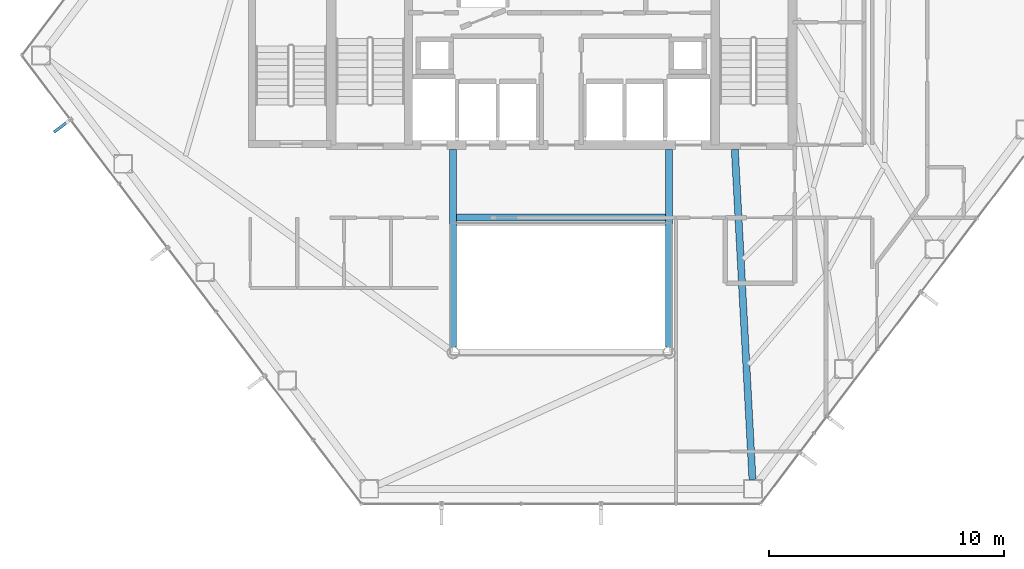
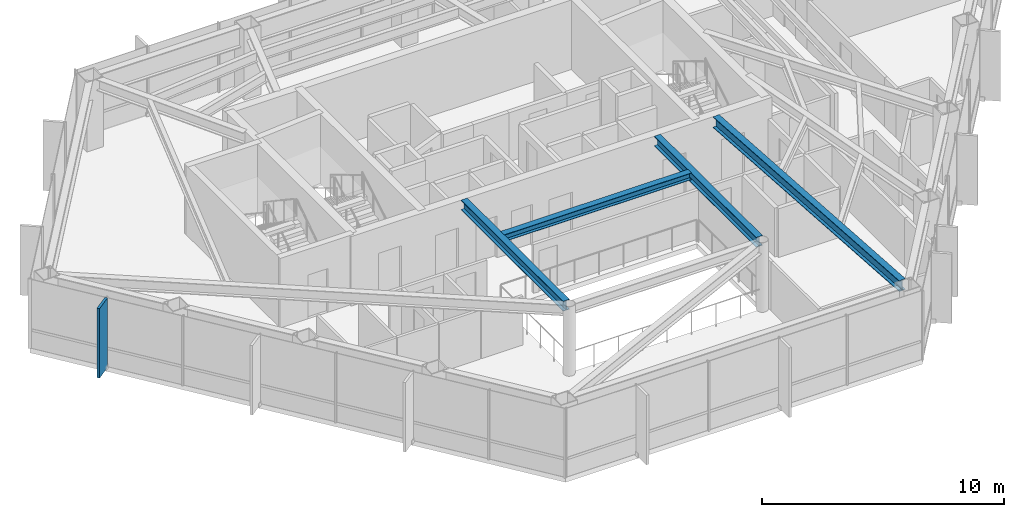
# One storey, part 9 of 29: 4 beams, 1 member, 1 element without a shape of its own.
"""IFC4 building model written with IfcOpenShell, lengths in metres."""

from ifc_helpers import new_model, si_unit, direction, frame, origin, origin_2d, place, context, subcontext, project, spatial, rectangle, i_section, extrude, material, layer, layer_set, material_profile, profile_set, type_object, element, aggregate, save


model = new_model("IFC4")

# Units and contexts
model_context = context("Model", 3, precision=1e-05, world=origin(), true_north=direction((0.0, 1.0)))
body_context = subcontext(model_context, "Body", "Model", "MODEL_VIEW")
ifc_project = project(units=[si_unit("LENGTHUNIT", "METRE"), si_unit("AREAUNIT", "SQUARE_METRE"), si_unit("VOLUMEUNIT", "CUBIC_METRE"), si_unit("PLANEANGLEUNIT", "RADIAN"), si_unit("MASSUNIT", "GRAM", prefix="KILO")], contexts=[model_context])

# Site, building, storey
site_placement = place(None, origin())
site = spatial("IfcSite", under=ifc_project, at=site_placement, CompositionType="ELEMENT")
building_placement = place(site_placement, origin())
building = spatial("IfcBuilding", under=site, at=building_placement, Name="Zarrinselat Tower", CompositionType="ELEMENT")
storey_placement = place(building_placement, frame((0.0, 0.0, 138.3798828125)))
storey = spatial("IfcBuildingStorey", under=building, at=storey_placement, Name="L33", CompositionType="ELEMENT", Elevation=138.3798828125)

# Beams
ifc_material_1 = material(Name="Steel S355J2", Category="steel")
ifc_material_profile_1 = material_profile(ifc_material_1, i_section(OverallWidth=0.300048828125, OverallDepth=0.35009765625, WebThickness=0.010009765625, FlangeThickness=0.017578125, at=origin_2d()), Name="HEA 360")
ifc_profile_set_1 = profile_set([ifc_material_profile_1], Name="Steel S355J2")
beam_type_1 = type_object("IfcBeamType", Name="BM-HEA360", PredefinedType="LINTEL", material=ifc_profile_set_1)
beam_1_placement = place(storey_placement, frame((33.93994140625, 30.14990234375, 3.3251953125), z_axis=(1.0, 0.0, 0.0), x_axis=(0.0, 1.0, 0.0)))
element("IfcBeam", 1, at=beam_1_placement, inside=storey, type_object=beam_type_1, Name="L33 Lift Lobby Ceiling Beam", PredefinedType="LINTEL", context=body_context, shape_type="SweptSolid", body=[
    extrude(i_section(OverallWidth=0.300048828125, OverallDepth=0.35009765625, WebThickness=0.010009765625, FlangeThickness=0.017578125, at=origin_2d()), origin(), (0.0, 0.0, 1.0), 8.920166015625),
])
ifc_material_2 = material(Name="Steel S355J2", Category="steel")
ifc_material_profile_2 = material_profile(ifc_material_2, i_section(OverallWidth=0.300048828125, OverallDepth=0.5, WebThickness=0.014404296875, FlangeThickness=0.028076171875, at=origin_2d()), Name="HEB 500")
ifc_profile_set_2 = profile_set([ifc_material_profile_2], Name="Steel S355J2")
beam_type_2 = type_object("IfcBeamType", Name="BM-HEB500", PredefinedType="BEAM", material=ifc_profile_set_2)
for number, where, z_axis, x_axis, name in (
    (2, (33.800048828125, 24.639892578125, 3.25), (0.0, 1.0, 0.0), (-1.0, 0.0, 0.0), "L33 Atrium Edge Beam W"),
    (3, (43.0, 24.639892578125, 3.25), (0.0, 1.0, 0.0), (-1.0, 0.0, 0.0), "L33 Atrium Edge Beam E"),
):
    element("IfcBeam", number, at=place(storey_placement, frame(where, z_axis=z_axis, x_axis=x_axis)), inside=storey, type_object=beam_type_2, Name=name, PredefinedType="BEAM", context=body_context, shape_type="SweptSolid", body=[
        extrude(i_section(OverallWidth=0.300048828125, OverallDepth=0.5, WebThickness=0.014404296875, FlangeThickness=0.028076171875, at=origin_2d()), origin(), (0.0, 0.0, 1.0), 8.420166015625),
    ])
ifc_material_3 = material(Name="Steel S355J2", Category="steel")
ifc_material_profile_3 = material_profile(ifc_material_3, i_section(OverallWidth=0.300048828125, OverallDepth=0.550048828125, WebThickness=0.014892578125, FlangeThickness=0.029052734375, at=origin_2d()), Name="HEB 550")
ifc_profile_set_3 = profile_set([ifc_material_profile_3], Name="Steel S355J2")
beam_type_3 = type_object("IfcBeamType", Name="BM-HEB550", PredefinedType="BEAM", material=ifc_profile_set_3)
beam_2_placement = place(storey_placement, frame((45.800048828125, 33.06005859375, 3.22509765625), z_axis=(0.053429588566, -0.998571619397, 0.0), x_axis=(0.998571619397, 0.053429588566, 0.0)))
element("IfcBeam", 4, at=beam_2_placement, inside=storey, type_object=beam_type_3, Name="L33 Radial Primary Girder RG11", PredefinedType="BEAM", context=body_context, shape_type="SweptSolid", body=[
    extrude(i_section(OverallWidth=0.300048828125, OverallDepth=0.550048828125, WebThickness=0.014892578125, FlangeThickness=0.029052734375, at=origin_2d()), origin(), (0.0, 0.0, 1.0), 14.082763671875),
])

# Curtain wall, member
ifc_material_4 = material(Name="Extruded Aluminium Alloy EN AW-6063 T6", Category="aluminium")
ifc_layer = layer(ifc_material_4, 0.175048828125)
ifc_layer_set = layer_set([ifc_layer], Name="Extruded Aluminium Alloy EN AW-6063 T6")
curtain_wall_type = type_object("IfcCurtainWallType", Name="CWS-HTL", PredefinedType="NOTDEFINED", material=ifc_layer_set)
curtain_wall_placement = place(storey_placement, origin())
curtain_wall = element("IfcCurtainWall", 5, at=curtain_wall_placement, inside=storey, type_object=curtain_wall_type, Name="L33 Unitised Curtain Wall CW-L33-E03", PredefinedType="NOTDEFINED")
ifc_material_5 = material(Name="Honed Cream Travertine Stone", Category="masonry")
ifc_material_profile_4 = material_profile(ifc_material_5, rectangle(XDim=0.1201171875, YDim=0.85009765625, at=origin_2d()), Name="FIN 850x120")
ifc_profile_set_4 = profile_set([ifc_material_profile_4], Name="Honed Cream Travertine Stone")
member_type = type_object("IfcMemberType", Name="MEM-STONE-FIN", PredefinedType="USERDEFINED", material=ifc_profile_set_4)
member_placement = place(storey_placement, frame((17.12451171875, 34.052001953125, 0.0), z_axis=(0.0, 0.0, 1.0), x_axis=(-0.603855520216, 0.797093790407, 0.0)))
member = element("IfcMember", 6, at=member_placement, type_object=member_type, Name="L33 Stone Shading Fin CW-L33-E03-01", ObjectType="FIN", PredefinedType="USERDEFINED", context=body_context, shape_type="SweptSolid", body=[
    extrude(rectangle(XDim=0.1201171875, YDim=0.85009765625, at=origin_2d()), origin(), (0.0, 0.0, 1.0), 3.5),
])
aggregate(curtain_wall, [member])

save(model, "model.ifc")
